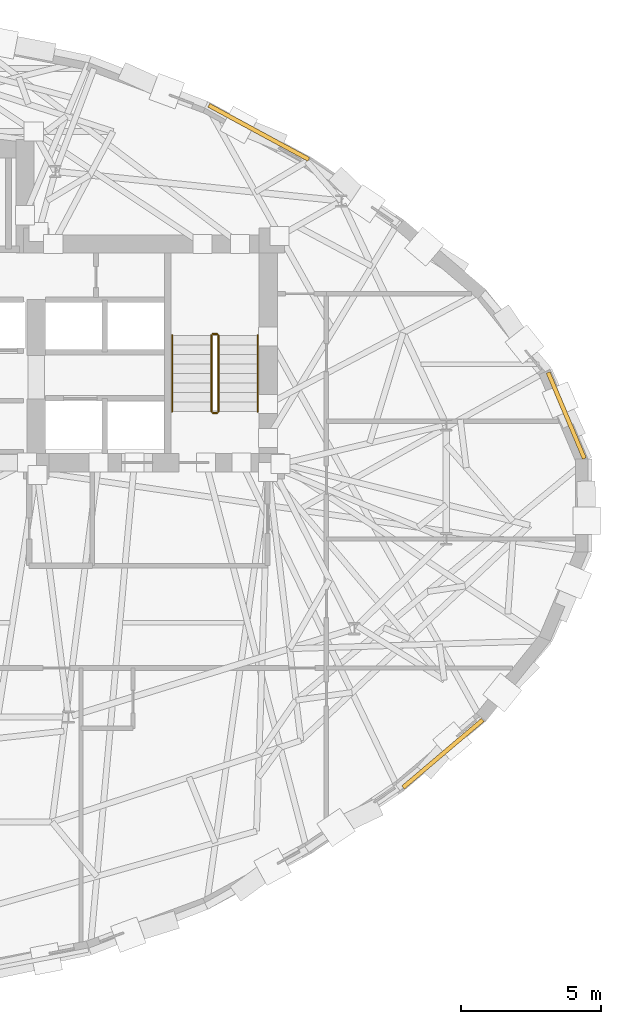
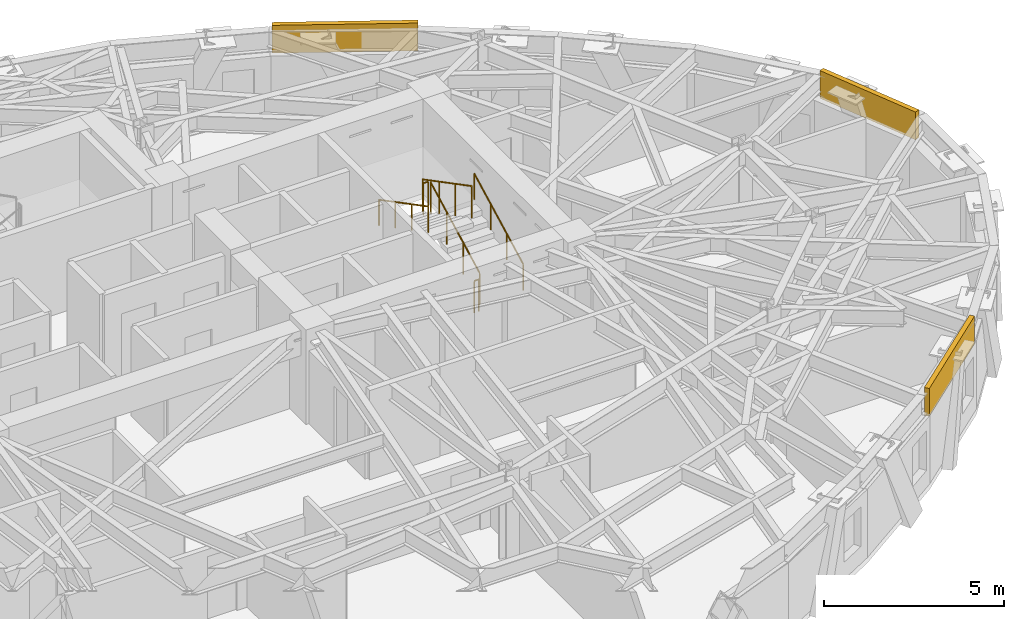
# One storey, part 13 of 14: 6 railings, 3 coverings.
"""IFC4 building model written with IfcOpenShell, lengths in metres."""

import ifcopenshell
import ifcopenshell.guid

model = None  # the IFC model being written
_history = None  # IfcOwnerHistory: only IFC2X3 demands one
_inside = {}  # id of a spatial element -> (the spatial element, [elements in it])
_under = {}  # id of a project, library or spatial element -> (it, [spatial elements below it])
_declared = {}  # id of a project -> (the project, [libraries it declares])
_typed = {}  # id of a type object -> (the type object, [elements of that type])
_made_of = {}  # id of a material, layer set ... -> (it, [elements and type objects made of it])


def new_model(schema):
    """Start an empty IFC model of exactly this schema.

    Asked for "IFC4X3", IfcOpenShell would pick the latest addendum, in which some entities
    have other attributes; the version numbers below select the first issue.
    IFC2X3 requires an IfcOwnerHistory on every rooted entity: one is made here for all.
    """
    global model, _history
    if schema == "IFC4X3":
        model = ifcopenshell.file(schema_version=(4, 3, 0, 0))
    else:
        model = ifcopenshell.file(schema=schema)
    _inside.clear()
    _under.clear()
    _declared.clear()
    _typed.clear()
    _made_of.clear()
    _history = None
    if model.schema == "IFC2X3":
        org = make("IfcOrganization", Name="unknown")
        user = make(
            "IfcPersonAndOrganization",
            ThePerson=make("IfcPerson", FamilyName="unknown"),
            TheOrganization=org,
        )
        app = make(
            "IfcApplication",
            ApplicationDeveloper=org,
            Version="unknown",
            ApplicationFullName="unknown",
            ApplicationIdentifier="unknown",
        )
        _history = make(
            "IfcOwnerHistory",
            OwningUser=user,
            OwningApplication=app,
            ChangeAction="ADDED",
            CreationDate=0,
        )
    return model


def make(cls, **values):
    """One entity of the class cls with the attributes given. An attribute that is None is left unset."""
    return model.create_entity(
        cls, **{name: value for name, value in values.items() if value is not None}
    )


def rooted(cls, **values):
    """An entity with a GlobalId (a new one), such as an element, a storey or a relation."""
    return make(cls, GlobalId=ifcopenshell.guid.new(), OwnerHistory=_history, **values)


def si_unit(unit_type, name, prefix=None):
    """IfcSIUnit, for example si_unit("LENGTHUNIT", "METRE", prefix="MILLI")."""
    return make("IfcSIUnit", UnitType=unit_type, Prefix=prefix, Name=name)


def assignment(units):
    """IfcUnitAssignment: the units of a project."""
    return None if units is None else make("IfcUnitAssignment", Units=units)


def point(xyz):
    """IfcCartesianPoint."""
    return None if xyz is None else make("IfcCartesianPoint", Coordinates=xyz)


def direction(xyz):
    """IfcDirection."""
    return None if xyz is None else make("IfcDirection", DirectionRatios=xyz)


def frame(location, z_axis=None, x_axis=None):
    """IfcAxis2Placement3D, a coordinate frame: its origin and axes. An axis left out is left unset."""
    return make(
        "IfcAxis2Placement3D",
        Location=point(location),
        Axis=direction(z_axis),
        RefDirection=direction(x_axis),
    )


def frame_2d(location, x_axis=None):
    """IfcAxis2Placement2D, a coordinate frame in the plane: its origin and x axis."""
    return make(
        "IfcAxis2Placement2D", Location=point(location), RefDirection=direction(x_axis)
    )


def origin():
    """The frame at (0, 0, 0) with its axes left unset."""
    return frame((0.0, 0.0, 0.0))


def origin_2d():
    """The frame at (0, 0) in the plane with its x axis left unset."""
    return frame_2d((0.0, 0.0))


def place(relative_to, where):
    """IfcLocalPlacement: puts the frame where relative to a parent placement (None: the world)."""
    return make(
        "IfcLocalPlacement", PlacementRelTo=relative_to, RelativePlacement=where
    )


def context(
    kind, dimensions, precision=None, world=None, true_north=None, identifier=None
):
    """IfcGeometricRepresentationContext, for example the 3D "Model" context."""
    return make(
        "IfcGeometricRepresentationContext",
        ContextIdentifier=identifier,
        ContextType=kind,
        CoordinateSpaceDimension=dimensions,
        Precision=precision,
        WorldCoordinateSystem=world,
        TrueNorth=true_north,
    )


def subcontext(parent, identifier, kind, view, scale=None):
    """IfcGeometricRepresentationSubContext, for example "Body" below "Model"."""
    return make(
        "IfcGeometricRepresentationSubContext",
        ContextIdentifier=identifier,
        ContextType=kind,
        ParentContext=parent,
        TargetScale=scale,
        TargetView=view,
    )


def project(units=None, contexts=None):
    """IfcProject with its units and contexts."""
    return rooted(
        "IfcProject",
        Name="project",
        RepresentationContexts=contexts,
        UnitsInContext=assignment(units),
    )


def spatial(cls, under=None, at=None, **own):
    """A site, building, storey or space (cls), placed at a placement, below another one or the project."""
    s = rooted(cls, ObjectPlacement=at, **own)
    if under is not None:
        _under.setdefault(under.id(), (under, []))[1].append(s)
    return s


def profile(cls, at=None, kind="AREA", **sizes):
    """A parametric profile (cls). Its sizes go by their IFC names, for example OverallWidth=200.0."""
    return make(cls, ProfileType=kind, Position=at, **sizes)


def rectangle(**sizes):
    """IfcRectangleProfileDef."""
    return profile("IfcRectangleProfileDef", **sizes)


def circle(**sizes):
    """IfcCircleProfileDef."""
    return profile("IfcCircleProfileDef", **sizes)


def extrude(swept, where, along, depth):
    """IfcExtrudedAreaSolid: the profile swept, set in the frame where, extruded along a direction by depth."""
    return make(
        "IfcExtrudedAreaSolid",
        SweptArea=swept,
        Position=where,
        ExtrudedDirection=direction(along),
        Depth=depth,
    )


def shape(context_of_items, identifier, shape_type, items):
    """IfcShapeRepresentation: the items that make up one representation, for example the "Body"."""
    return make(
        "IfcShapeRepresentation",
        ContextOfItems=context_of_items,
        RepresentationIdentifier=identifier,
        RepresentationType=shape_type,
        Items=items,
    )


def material(Name=None, Category=None):
    """IfcMaterial."""
    return make("IfcMaterial", Name=Name, Category=Category)


def layer(
    of_material, thickness, ventilated=None, Name=None, Category=None, Priority=None
):
    """IfcMaterialLayer: one layer of a wall or slab, of a material (None: an air gap)."""
    return make(
        "IfcMaterialLayer",
        Material=of_material,
        LayerThickness=thickness,
        IsVentilated=ventilated,
        Name=Name,
        Category=Category,
        Priority=Priority,
    )


def layer_set(layers, Name=None):
    """IfcMaterialLayerSet."""
    return make("IfcMaterialLayerSet", MaterialLayers=layers, LayerSetName=Name)


def made_of(thing, what):
    """Note that an element or type object is made of a material, layer set ...; save() writes the relation."""
    if what is not None:
        _made_of.setdefault(what.id(), (what, []))[1].append(thing)
    return thing


def type_object(cls, material=None, **own):
    """A type object (cls), such as IfcWallType, which elements share."""
    return made_of(rooted(cls, **own), material)


def element(
    cls,
    number,
    at=None,
    inside=None,
    cuts=None,
    type_object=None,
    material=None,
    context=None,
    identifier="Body",
    shape_type=None,
    held_by="IfcProductDefinitionShape",
    body=None,
    shapes=None,
    **own,
):
    """One element of the class cls, such as IfcWall. Its Tag is "e" and its number.

    at: its placement. inside: the storey or other place that contains it. cuts: it is an
    opening in that element (IfcRelVoidsElement). A single representation is given by context,
    identifier, shape_type and body (its items); several are given by shapes. held_by: the class
    of the entity that holds the representations. save() writes the other relations.
    """
    e = rooted(cls, Tag="e%d" % number, ObjectPlacement=at, **own)
    if body is not None:
        shapes = [shape(context, identifier, shape_type, body)]
    if shapes is not None:
        e.Representation = make(held_by, Representations=shapes)
    if inside is not None:
        _inside.setdefault(inside.id(), (inside, []))[1].append(e)
    if cuts is not None:
        rooted(
            "IfcRelVoidsElement", RelatingBuildingElement=cuts, RelatedOpeningElement=e
        )
    if type_object is not None:
        _typed.setdefault(type_object.id(), (type_object, []))[1].append(e)
    return made_of(e, material)


def aggregate(whole, parts):
    """IfcRelAggregates: a whole, such as a stair, and the parts it consists of."""
    return rooted("IfcRelAggregates", RelatingObject=whole, RelatedObjects=parts)


def save(model, path):
    """Write the relations noted so far, then the file.

    IfcRelAggregates (storeys below a building ...), IfcRelContainedInSpatialStructure (elements
    in a storey), IfcRelDefinesByType, IfcRelAssociatesMaterial and IfcRelDeclares: one each for
    every whole, place, type object, material and project.
    """
    for whole, parts in _under.values():
        aggregate(whole, parts)
    for where, things in _inside.values():
        rooted(
            "IfcRelContainedInSpatialStructure",
            RelatedElements=things,
            RelatingStructure=where,
        )
    for kind, things in _typed.values():
        rooted("IfcRelDefinesByType", RelatedObjects=things, RelatingType=kind)
    for what, things in _made_of.values():
        rooted("IfcRelAssociatesMaterial", RelatedObjects=things, RelatingMaterial=what)
    for by, libraries in _declared.values():
        rooted("IfcRelDeclares", RelatingContext=by, RelatedDefinitions=libraries)
    model.write(path)


model = new_model("IFC4")

# Units and contexts
model_context = context("Model", 3, precision=1e-05, world=origin(), true_north=direction((0.0, 1.0)))
body_context = subcontext(model_context, "Body", "Model", "MODEL_VIEW")
ifc_project = project(units=[si_unit("LENGTHUNIT", "METRE"), si_unit("AREAUNIT", "SQUARE_METRE"), si_unit("VOLUMEUNIT", "CUBIC_METRE"), si_unit("PLANEANGLEUNIT", "RADIAN"), si_unit("MASSUNIT", "GRAM", prefix="KILO")], contexts=[model_context])

# Site, building, storey
site_placement = place(None, origin())
site = spatial("IfcSite", under=ifc_project, at=site_placement, CompositionType="ELEMENT")
building_placement = place(site_placement, origin())
building = spatial("IfcBuilding", under=site, at=building_placement, Name="Keldmark Tower", CompositionType="ELEMENT")
storey_placement = place(building_placement, frame((0.0, 0.0, 179.0)))
storey = spatial("IfcBuildingStorey", under=building, at=storey_placement, Name="L49", CompositionType="ELEMENT", Elevation=179.0)

# Coverings
ifc_material_1 = material(Name="Honed Kasota Buff Dolomitic Limestone", Category="masonry")
ifc_layer = layer(ifc_material_1, 0.074951171875)
ifc_layer_set = layer_set([ifc_layer], Name="Honed Kasota Buff Dolomitic Limestone")
covering_type = type_object("IfcCoveringType", Name="Kasota Buff Limestone Spandrel Cladding Band", PredefinedType="CLADDING", material=ifc_layer_set)
covering_1_placement = place(storey_placement, frame((24.106689453125, 3.2080078125, 2.239013671875), z_axis=(0.0, 0.0, 1.0), x_axis=(-0.388368166542, 0.921504295821, 0.0)))
element("IfcCovering", 1, at=covering_1_placement, inside=storey, type_object=covering_type, Name="L49 Kasota Limestone Spandrel Band 01", PredefinedType="CLADDING", context=body_context, shape_type="SweptSolid", body=[
    extrude(rectangle(XDim=3.330078125, YDim=0.14990234375, at=origin_2d()), origin(), (0.0, 0.0, 1.0), 0.94091796875),
])
covering_2_placement = place(storey_placement, frame((13.136962890625, 13.30859375, 2.239013671875), z_axis=(0.0, 0.0, 1.0), x_axis=(-0.879307998132, 0.47625355056, 0.0)))
element("IfcCovering", 2, at=covering_2_placement, inside=storey, type_object=covering_type, Name="L49 Kasota Limestone Spandrel Band 05", PredefinedType="CLADDING", context=body_context, shape_type="SweptSolid", body=[
    extrude(rectangle(XDim=4.05517578125, YDim=0.14990234375, at=origin_2d()), origin(), (0.0, 0.0, 1.0), 0.94091796875),
])
covering_3_placement = place(storey_placement, frame((19.70361328125, -8.857421875, 2.239013671875), z_axis=(0.0, 0.0, 1.0), x_axis=(0.762510266373, 0.646976115229, 0.0)))
element("IfcCovering", 3, at=covering_3_placement, inside=storey, type_object=covering_type, Name="L49 Kasota Limestone Spandrel Band 29", PredefinedType="CLADDING", context=body_context, shape_type="SweptSolid", body=[
    extrude(rectangle(XDim=3.726806640625, YDim=0.14990234375, at=origin_2d()), origin(), (0.0, 0.0, 1.0), 0.94091796875),
])

# Railings
ifc_material_2 = material(Name="Painted Steel ASTM A500 Grade B", Category="steel")
railing_type_1 = type_object("IfcRailingType", Name="Painted Steel Stair Well Guard 1100 mm", PredefinedType="GUARDRAIL", material=ifc_material_2)
railing_1_placement = place(storey_placement, frame((11.699951171875, 3.35009765625, 0.177734375)))
element("IfcRailing", 4, at=railing_1_placement, inside=storey, type_object=railing_type_1, Name="L49 ST2 stair guard 1", PredefinedType="GUARDRAIL", context=body_context, shape_type="SweptSolid", body=[
    extrude(circle(Radius=0.02392578125, at=origin_2d()), frame((0.0, 0.0, 1.076171875), z_axis=(0.0, 0.886150474775, 0.463397600399), x_axis=(-1.0, 0.0, 0.0)), (0.0, 0.0, 1.0), 3.0693359375),
    extrude(circle(Radius=0.02099609375, at=origin_2d()), origin(), (0.0, 0.0, 1.0), 1.052001953125),
    extrude(circle(Radius=0.02099609375, at=origin_2d()), frame((0.0, 0.90673828125, 0.47412109375)), (0.0, 0.0, 1.0), 1.052001953125),
    extrude(circle(Radius=0.02099609375, at=origin_2d()), frame((0.0, 1.813232421875, 0.9482421875)), (0.0, 0.0, 1.0), 1.052001953125),
    extrude(circle(Radius=0.02099609375, at=origin_2d()), frame((0.0, 2.719970703125, 1.42236328125)), (0.0, 0.0, 1.0), 1.052001953125),
])
railing_2_placement = place(storey_placement, frame((11.64990234375, 6.1201171875, 1.60009765625)))
element("IfcRailing", 5, at=railing_2_placement, inside=storey, type_object=railing_type_1, Name="L49 ST2 stair guard 2", PredefinedType="GUARDRAIL", context=body_context, shape_type="SweptSolid", body=[
    extrude(circle(Radius=0.02392578125, at=origin_2d()), frame((0.0, 0.0, 1.076171875), z_axis=(-1.0, 0.0, 0.0), x_axis=(0.0, -1.0, 0.0)), (0.0, 0.0, 1.0), 0.14990234375),
    extrude(circle(Radius=0.02099609375, at=origin_2d()), origin(), (0.0, 0.0, 1.0), 1.052001953125),
    extrude(circle(Radius=0.02099609375, at=origin_2d()), frame((-0.14990234375, 0.0, 0.0)), (0.0, 0.0, 1.0), 1.052001953125),
])
railing_3_placement = place(storey_placement, frame((11.449951171875, 6.070068359375, 1.77783203125)))
element("IfcRailing", 6, at=railing_3_placement, inside=storey, type_object=railing_type_1, Name="L49 ST2 stair guard 3", PredefinedType="GUARDRAIL", context=body_context, shape_type="SweptSolid", body=[
    extrude(circle(Radius=0.02392578125, at=origin_2d()), frame((0.0, 0.0, 1.076171875), z_axis=(0.0, -0.886183135912, 0.463335137482), x_axis=(1.0, 0.0, 0.0)), (0.0, 0.0, 1.0), 3.0693359375),
    extrude(circle(Radius=0.02099609375, at=origin_2d()), origin(), (0.0, 0.0, 1.0), 1.052001953125),
    extrude(circle(Radius=0.02099609375, at=origin_2d()), frame((0.0, -0.90673828125, 0.47412109375)), (0.0, 0.0, 1.0), 1.052001953125),
    extrude(circle(Radius=0.02099609375, at=origin_2d()), frame((0.0, -1.813232421875, 0.947998046875)), (0.0, 0.0, 1.0), 1.052001953125),
    extrude(circle(Radius=0.02099609375, at=origin_2d()), frame((0.0, -2.719970703125, 1.422119140625)), (0.0, 0.0, 1.0), 1.052001953125),
])
railing_4_placement = place(storey_placement, frame((11.64990234375, 3.300048828125, 0.0)))
element("IfcRailing", 7, at=railing_4_placement, inside=storey, type_object=railing_type_1, Name="L49 ST2 stair guard 4", PredefinedType="GUARDRAIL", context=body_context, shape_type="SweptSolid", body=[
    extrude(circle(Radius=0.02392578125, at=origin_2d()), frame((0.0, 0.0, 1.076171875), z_axis=(-1.0, 0.0, 0.0), x_axis=(0.0, -1.0, 0.0)), (0.0, 0.0, 1.0), 0.14990234375),
    extrude(circle(Radius=0.02099609375, at=origin_2d()), origin(), (0.0, 0.0, 1.0), 1.052001953125),
    extrude(circle(Radius=0.02099609375, at=origin_2d()), frame((-0.14990234375, 0.0, 0.0)), (0.0, 0.0, 1.0), 1.052001953125),
])
ifc_material_3 = material(Name="Stainless Steel AISI 316L", Category="steel")
railing_type_2 = type_object("IfcRailingType", Name="Stainless Steel Stair Handrail 900 mm", PredefinedType="HANDRAIL", material=ifc_material_3)
railing_5_placement = place(storey_placement, frame((13.10009765625, 3.35009765625, 0.177734375)))
element("IfcRailing", 8, at=railing_5_placement, inside=storey, type_object=railing_type_2, Name="L49 ST2 stair handrail 1", PredefinedType="HANDRAIL", context=body_context, shape_type="SweptSolid", body=[
    extrude(circle(Radius=0.02392578125, at=origin_2d()), frame((0.0, 0.0, 0.8759765625), z_axis=(0.0, 0.886150474775, 0.463397600399), x_axis=(-1.0, 0.0, 0.0)), (0.0, 0.0, 1.0), 3.0693359375),
    extrude(circle(Radius=0.02099609375, at=origin_2d()), origin(), (0.0, 0.0, 1.0), 0.851806640625),
    extrude(circle(Radius=0.02099609375, at=origin_2d()), frame((0.0, 0.90673828125, 0.47412109375)), (0.0, 0.0, 1.0), 0.851806640625),
    extrude(circle(Radius=0.02099609375, at=origin_2d()), frame((0.0, 1.813232421875, 0.9482421875)), (0.0, 0.0, 1.0), 0.851806640625),
    extrude(circle(Radius=0.02099609375, at=origin_2d()), frame((0.0, 2.719970703125, 1.42236328125)), (0.0, 0.0, 1.0), 0.851806640625),
])
railing_6_placement = place(storey_placement, frame((10.050048828125, 6.070068359375, 1.77783203125)))
element("IfcRailing", 9, at=railing_6_placement, inside=storey, type_object=railing_type_2, Name="L49 ST2 stair handrail 2", PredefinedType="HANDRAIL", context=body_context, shape_type="SweptSolid", body=[
    extrude(circle(Radius=0.02392578125, at=origin_2d()), frame((0.0, 0.0, 0.8759765625), z_axis=(0.0, -0.886183135912, 0.463335137482), x_axis=(1.0, 0.0, 0.0)), (0.0, 0.0, 1.0), 3.0693359375),
    extrude(circle(Radius=0.02099609375, at=origin_2d()), origin(), (0.0, 0.0, 1.0), 0.851806640625),
    extrude(circle(Radius=0.02099609375, at=origin_2d()), frame((0.0, -0.90673828125, 0.47412109375)), (0.0, 0.0, 1.0), 0.851806640625),
    extrude(circle(Radius=0.02099609375, at=origin_2d()), frame((0.0, -1.813232421875, 0.947998046875)), (0.0, 0.0, 1.0), 0.851806640625),
    extrude(circle(Radius=0.02099609375, at=origin_2d()), frame((0.0, -2.719970703125, 1.422119140625)), (0.0, 0.0, 1.0), 0.851806640625),
])

save(model, "model.ifc")
